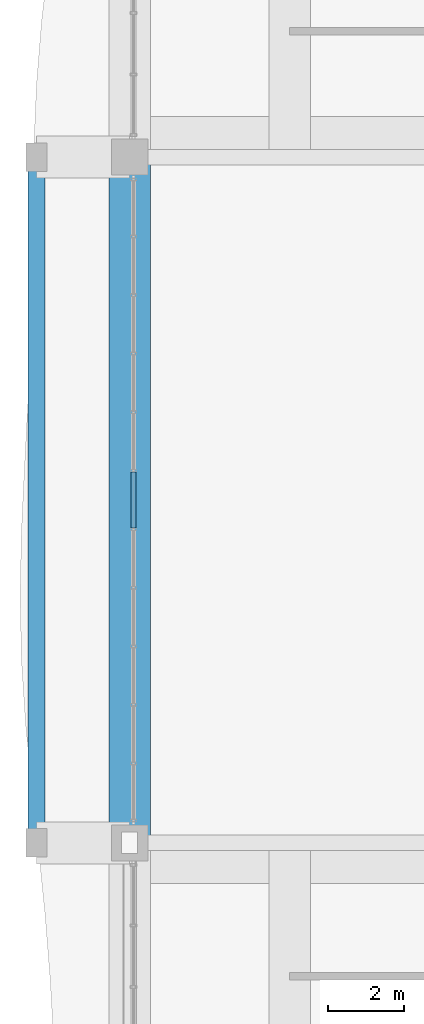
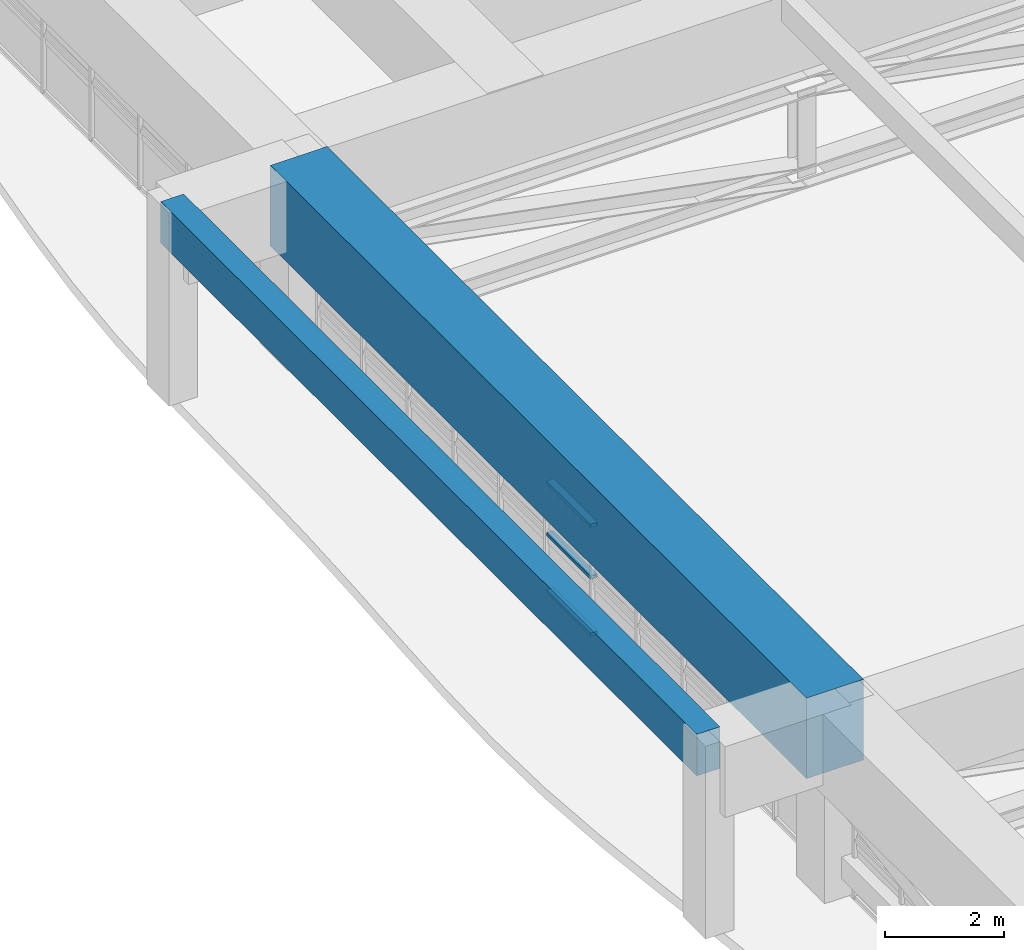
# One storey, part 9 of 35: 3 members, 2 beams, 1 element without a shape of its own.
"""IFC4 building model written with IfcOpenShell, lengths in metres."""

from ifc_helpers import new_model, si_unit, direction, frame, origin, origin_2d, place, context, subcontext, project, spatial, rectangle, hollow_rectangle, extrude, source, transform, mapped, material, layer, layer_set, material_profile, profile_set, type_object, element, aggregate, save


model = new_model("IFC4")

# Units and contexts
model_context = context("Model", 3, precision=1e-05, world=origin(), true_north=direction((0.0, 1.0)))
body_context = subcontext(model_context, "Body", "Model", "MODEL_VIEW")
ifc_project = project(units=[si_unit("LENGTHUNIT", "METRE"), si_unit("AREAUNIT", "SQUARE_METRE"), si_unit("VOLUMEUNIT", "CUBIC_METRE"), si_unit("PLANEANGLEUNIT", "RADIAN"), si_unit("MASSUNIT", "GRAM", prefix="KILO")], contexts=[model_context])

# Site, building, storey
site_placement = place(None, origin())
site = spatial("IfcSite", under=ifc_project, at=site_placement, CompositionType="ELEMENT")
building_placement = place(site_placement, origin())
building = spatial("IfcBuilding", under=site, at=building_placement, Name="Saelheon Loggia Tower", CompositionType="ELEMENT")
storey_placement = place(building_placement, frame((0.0, 0.0, 144.75)))
storey = spatial("IfcBuildingStorey", under=building, at=storey_placement, Name="L46", CompositionType="ELEMENT", Elevation=144.75)

# Beams
ifc_material_1 = material(Name="Precast Concrete C45/55", Category="concrete")
ifc_material_profile_1 = material_profile(ifc_material_1, rectangle(XDim=0.449951171875, YDim=0.85009765625, at=origin_2d()), Name="RC-450x850")
ifc_profile_set_1 = profile_set([ifc_material_profile_1], Name="Precast Concrete C45/55")
beam_type_1 = type_object("IfcBeamType", Name="Beam_LoggiaSpandrel_RC450x850", PredefinedType="SPANDREL", material=ifc_profile_set_1)
shared_shape_1 = source(origin(), body_context, "Body", "SweptSolid", [
    extrude(rectangle(XDim=0.449951171875, YDim=0.85009765625, at=origin_2d()), origin(), (0.0, 0.0, 1.0), 18.0),
])
beam_1_placement = place(storey_placement, frame((9.550048828125, 18.0, 3.52490234375), z_axis=(0.0, 1.0, 0.0), x_axis=(-1.0, 0.0, 0.0)))
element("IfcBeam", 1, at=beam_1_placement, inside=storey, type_object=beam_type_1, Name="L46 Loggia Spandrel Beam W", PredefinedType="SPANDREL", context=body_context, shape_type="MappedRepresentation", body=[
    mapped(shared_shape_1, transform((0.0, 0.0, 0.0), scale=1.0)),
])
ifc_material_2 = material(Name="Concrete C50/60", Category="concrete")
ifc_material_profile_2 = material_profile(ifc_material_2, rectangle(XDim=1.10009765625, YDim=1.64990234375, at=origin_2d()), Name="RC-1100x1650")
ifc_profile_set_2 = profile_set([ifc_material_profile_2], Name="Concrete C50/60")
beam_type_2 = type_object("IfcBeamType", Name="Beam_PerimMega_RC1100x1650", PredefinedType="BEAM", material=ifc_profile_set_2)
shared_shape_2 = source(origin(), body_context, "Body", "SweptSolid", [
    extrude(rectangle(XDim=1.10009765625, YDim=1.64990234375, at=origin_2d()), origin(), (0.0, 0.0, 1.0), 18.0),
])
beam_2_placement = place(storey_placement, frame((12.0, 36.0, 3.125), z_axis=(0.0, -1.0, 0.0), x_axis=(1.0, 0.0, 0.0)))
element("IfcBeam", 2, at=beam_2_placement, inside=storey, type_object=beam_type_2, Name="L46 Perimeter Frame Girder 14", PredefinedType="BEAM", context=body_context, shape_type="MappedRepresentation", body=[
    mapped(shared_shape_2, transform((0.0, 0.0, 0.0), scale=1.0)),
])

# Curtain wall, members
ifc_material_3 = material(Name="Anodised Aluminium Acoustic Louvre Curtain Wall", Category="aluminium")
ifc_layer = layer(ifc_material_3, 0.179931640625)
ifc_layer_set = layer_set([ifc_layer], Name="Anodised Aluminium Acoustic Louvre Curtain Wall")
curtain_wall_type = type_object("IfcCurtainWallType", Name="CW_RefugeAcoustic", PredefinedType="NOTDEFINED", material=ifc_layer_set)
curtain_wall_placement = place(storey_placement, origin())
curtain_wall = element("IfcCurtainWall", 3, at=curtain_wall_placement, inside=storey, type_object=curtain_wall_type, Name="L46 W Refuge Acoustic Curtain Wall 2", PredefinedType="NOTDEFINED")
ifc_material_4 = material(Name="Anodised Aluminium 6063-T6", Category="aluminium")
ifc_material_profile_3 = material_profile(ifc_material_4, hollow_rectangle(XDim=0.06494140625, YDim=0.139892578125, WallThickness=0.00390625, at=origin_2d()), Name="RHS-140x65x4")
ifc_profile_set_3 = profile_set([ifc_material_profile_3], Name="Anodised Aluminium 6063-T6")
member_type = type_object("IfcMemberType", Name="CW_RefugeAcoustic_Transom", PredefinedType="USERDEFINED", material=ifc_profile_set_3)
shared_shape_3 = source(origin(), body_context, "Body", "SweptSolid", [
    extrude(hollow_rectangle(XDim=0.06494140625, YDim=0.139892578125, WallThickness=0.00390625, at=origin_2d()), origin(), (0.0, 0.0, 1.0), 1.47119140625),
])
member_1_placement = place(storey_placement, frame((12.10009765625, 26.264404296875, 0.032470703125), z_axis=(0.0, 1.0, 0.0), x_axis=(0.0, 0.0, 1.0)))
member_1 = element("IfcMember", 4, at=member_1_placement, type_object=member_type, Name="CW5 transom 6.1", ObjectType="TRANSOM", PredefinedType="USERDEFINED", context=body_context, shape_type="MappedRepresentation", body=[
    mapped(shared_shape_3, transform((0.0, 0.0, 0.0), scale=1.0)),
])
member_2_placement = place(storey_placement, frame((12.10009765625, 26.264404296875, 1.199951171875), z_axis=(0.0, 1.0, 0.0), x_axis=(0.0, 0.0, 1.0)))
member_2 = element("IfcMember", 5, at=member_2_placement, type_object=member_type, Name="CW5 transom 6.2", ObjectType="TRANSOM", PredefinedType="USERDEFINED", context=body_context, shape_type="MappedRepresentation", body=[
    mapped(shared_shape_3, transform((0.0, 0.0, 0.0), scale=1.0)),
])
member_3_placement = place(storey_placement, frame((12.10009765625, 26.264404296875, 2.257568359375), z_axis=(0.0, 1.0, 0.0), x_axis=(0.0, 0.0, 1.0)))
member_3 = element("IfcMember", 6, at=member_3_placement, type_object=member_type, Name="CW5 transom 6.3", ObjectType="TRANSOM", PredefinedType="USERDEFINED", context=body_context, shape_type="MappedRepresentation", body=[
    mapped(shared_shape_3, transform((0.0, 0.0, 0.0), scale=1.0)),
])
aggregate(curtain_wall, [member_1, member_2, member_3])

save(model, "model.ifc")
